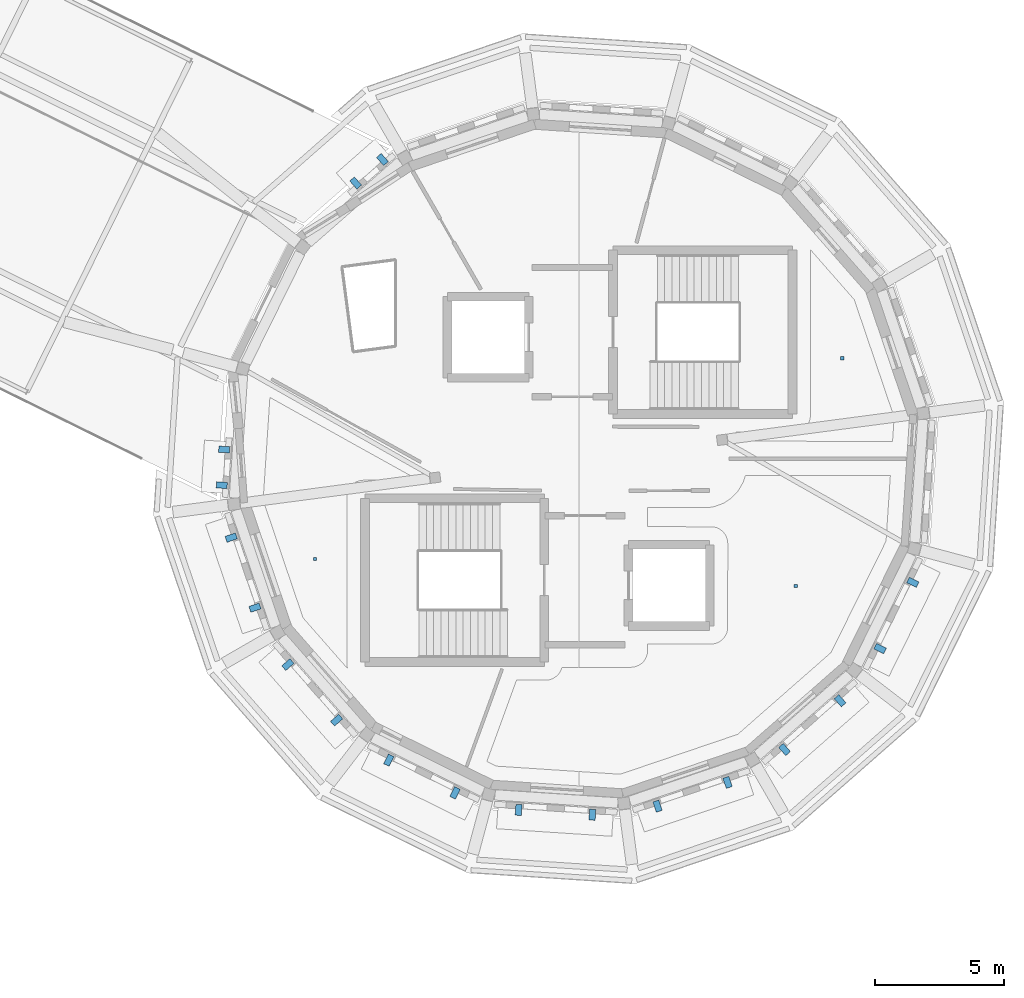
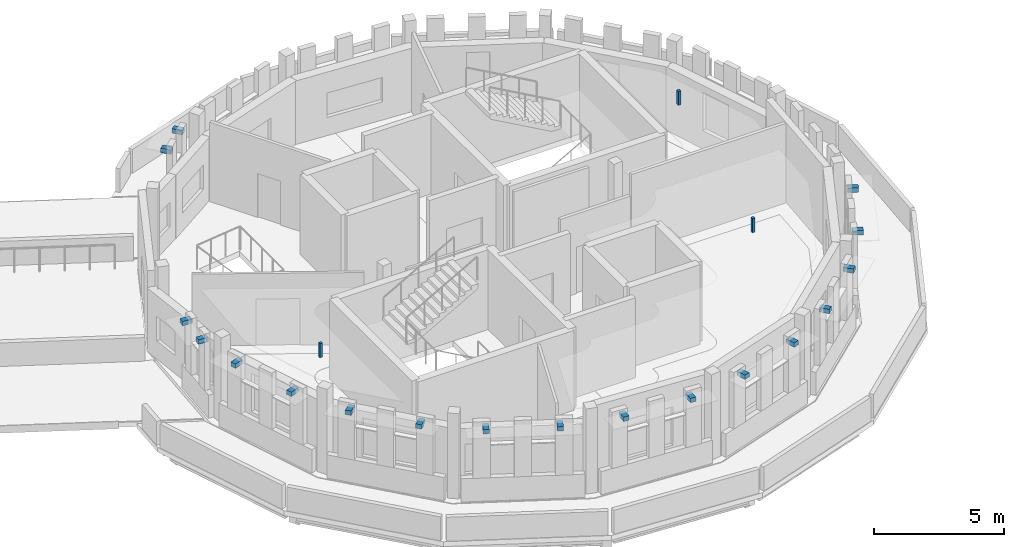
# One storey, part 48 of 51: 21 discrete accessories.
"""IFC4 building model written with IfcOpenShell, lengths in metres."""

from ifc_helpers import new_model, si_unit, direction, frame, origin, origin_2d, place, context, subcontext, project, spatial, rectangle, extrude, material, type_object, element, save


model = new_model("IFC4")

# Units and contexts
model_context = context("Model", 3, precision=1e-05, world=origin(), true_north=direction((0.0, 1.0)))
body_context = subcontext(model_context, "Body", "Model", "MODEL_VIEW")
ifc_project = project(units=[si_unit("LENGTHUNIT", "METRE"), si_unit("AREAUNIT", "SQUARE_METRE"), si_unit("VOLUMEUNIT", "CUBIC_METRE"), si_unit("PLANEANGLEUNIT", "RADIAN"), si_unit("MASSUNIT", "GRAM", prefix="KILO")], contexts=[model_context])

# Site, building, storey
site_placement = place(None, origin())
site = spatial("IfcSite", under=ifc_project, at=site_placement, CompositionType="ELEMENT")
building_placement = place(site_placement, origin())
building = spatial("IfcBuilding", under=site, at=building_placement, Name="Wrenclough Park School", CompositionType="ELEMENT")
storey_placement = place(building_placement, frame((0.0, 0.0, 16.800048828125)))
storey = spatial("IfcBuildingStorey", under=building, at=storey_placement, Name="L04", CompositionType="ELEMENT", Elevation=16.800048828125)

# Discrete accessories
ifc_material_1 = material(Name="Austenitic stainless steel Grade 1.4401", Category="steel")
discrete_accessory_type_1 = type_object("IfcDiscreteAccessoryType", Name="ENV-BRK-01", PredefinedType="BRACKET", material=ifc_material_1)
for number, where, z_axis, x_axis, name in (
    (1, (166.90673828125, 105.07763671875, 3.33984375), (0.0, 0.0, 1.0), (-0.751826155668, -0.659361381682, 0.0), "Brise-soleil stainless outrigger bracket 0269"),
    (2, (165.87109375, 104.169189453125, 3.33984375), (0.0, 0.0, 1.0), (-0.751826155668, -0.659361381682, 0.0), "Brise-soleil stainless outrigger bracket 0270"),
    (3, (160.782958984375, 93.857421875, 3.33984375), (0.0, 0.0, 1.0), (-0.065384375386, -0.997860152253, 0.0), "Brise-soleil stainless outrigger bracket 0271"),
    (4, (160.692626953125, 92.477294921875, 3.33984375), (0.0, 0.0, 1.0), (-0.065384375386, -0.997860152253, 0.0), "Brise-soleil stainless outrigger bracket 0272"),
    (5, (161.056884765625, 90.447021484375, 3.33984375), (0.0, 0.0, 1.0), (0.321420620405, -0.946936526267, 0.0), "Brise-soleil stainless outrigger bracket 0273"),
    (6, (161.976318359375, 87.73828125, 3.33984375), (0.0, 0.0, 1.0), (0.321420620405, -0.946936526267, 0.0), "Brise-soleil stainless outrigger bracket 0274"),
    (7, (163.24853515625, 85.534912109375, 3.33984375), (0.0, 0.0, 1.0), (0.659347566765, -0.751838271307, 0.0), "Brise-soleil stainless outrigger bracket 0275"),
    (8, (165.134765625, 83.38427734375, 3.33984375), (0.0, 0.0, 1.0), (0.659347566765, -0.751838271307, 0.0), "Brise-soleil stainless outrigger bracket 0276"),
    (9, (167.153076171875, 81.835693359375, 3.33984375), (0.0, 0.0, 1.0), (0.896859245801, -0.442316055804, 0.0), "Brise-soleil stainless outrigger bracket 0277"),
    (10, (169.71875, 80.5703125, 3.33984375), (0.0, 0.0, 1.0), (0.896859245801, -0.442316055804, 0.0), "Brise-soleil stainless outrigger bracket 0278"),
    (11, (172.176025390625, 79.911865234375, 3.33984375), (0.0, 0.0, 1.0), (0.997859686859, -0.06539147759, 0.0), "Brise-soleil stainless outrigger bracket 0279"),
    (12, (175.031005859375, 79.724853515625, 3.33984375), (0.0, 0.0, 1.0), (0.997859686859, -0.06539147759, 0.0), "Brise-soleil stainless outrigger bracket 0280"),
    (13, (177.552978515625, 80.056884765625, 3.33984375), (0.0, 0.0, 1.0), (0.946936526267, 0.321420620405, 0.0), "Brise-soleil stainless outrigger bracket 0281"),
    (14, (180.26171875, 80.976318359375, 3.33984375), (0.0, 0.0, 1.0), (0.946936526267, 0.321420620405, 0.0), "Brise-soleil stainless outrigger bracket 0282"),
    (15, (182.465087890625, 82.24853515625, 3.33984375), (0.0, 0.0, 1.0), (0.751838271307, 0.659347566765, 0.0), "Brise-soleil stainless outrigger bracket 0283"),
    (16, (184.61572265625, 84.134765625, 3.33984375), (0.0, 0.0, 1.0), (0.751838271307, 0.659347566765, 0.0), "Brise-soleil stainless outrigger bracket 0284"),
    (17, (186.164306640625, 86.153076171875, 3.33984375), (0.0, 0.0, 1.0), (0.442316055804, 0.896859245801, 0.0), "Brise-soleil stainless outrigger bracket 0285"),
    (18, (187.4296875, 88.71875, 3.33984375), (0.0, 0.0, 1.0), (0.442316055804, 0.896859245801, 0.0), "Brise-soleil stainless outrigger bracket 0286"),
):
    element("IfcDiscreteAccessory", number, at=place(storey_placement, frame(where, z_axis=z_axis, x_axis=x_axis)), inside=storey, type_object=discrete_accessory_type_1, Name=name, PredefinedType="BRACKET", context=body_context, shape_type="SweptSolid", body=[
        extrude(rectangle(XDim=0.239990234375, YDim=0.419921875, at=origin_2d()), origin(), (0.0, 0.0, 1.0), 0.199951171875),
    ])
ifc_material_2 = material(Name="Galvanised steel acoustic ceiling suspension hanger", Category="steel")
discrete_accessory_type_2 = type_object("IfcDiscreteAccessoryType", Name="INT-BRK-HGR", PredefinedType="BRACKET", material=ifc_material_2)
for number, where, z_axis, x_axis, name in (
    (19, (164.297119140625, 89.6181640625, 3.08984375), (0.0, 0.0, 1.0), (1.0, 0.0, 0.0), "Acoustic ceiling hanger bracket 0088"),
    (20, (182.90087890625, 88.568115234375, 3.08984375), (0.0, 0.0, 1.0), (1.0, 0.0, 0.0), "Acoustic ceiling hanger bracket 0089"),
    (21, (184.701171875, 97.386474609375, 3.08984375), (0.0, 0.0, 1.0), (1.0, 0.0, 0.0), "Acoustic ceiling hanger bracket 0090"),
):
    element("IfcDiscreteAccessory", number, at=place(storey_placement, frame(where, z_axis=z_axis, x_axis=x_axis)), inside=storey, type_object=discrete_accessory_type_2, Name=name, PredefinedType="BRACKET", context=body_context, shape_type="SweptSolid", body=[
        extrude(rectangle(XDim=0.1201171875, YDim=0.1201171875, at=origin_2d()), origin(), (0.0, 0.0, 1.0), 0.6650390625),
    ])

save(model, "model.ifc")
